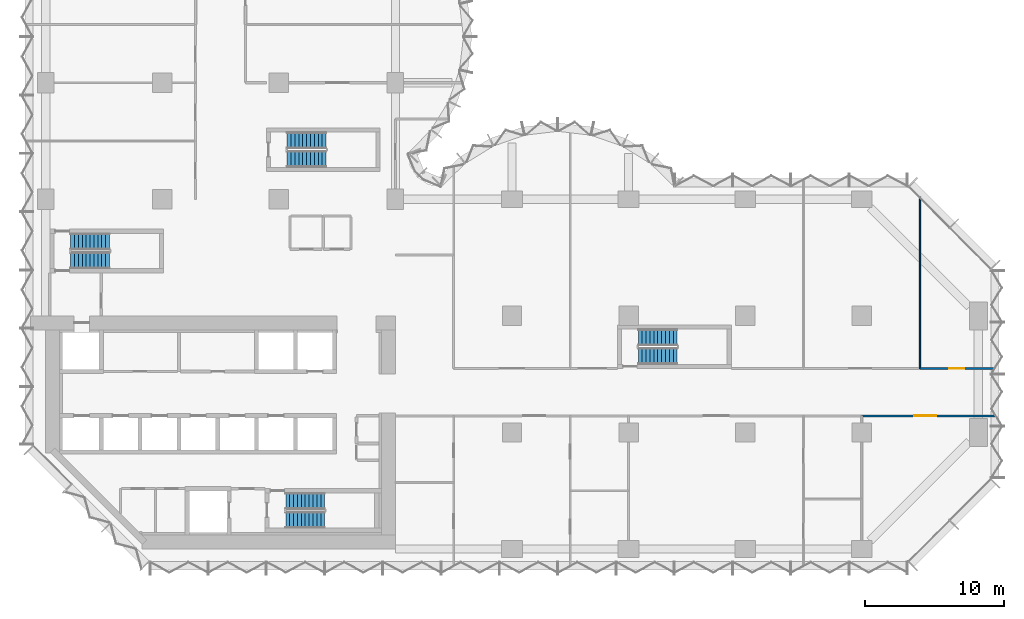
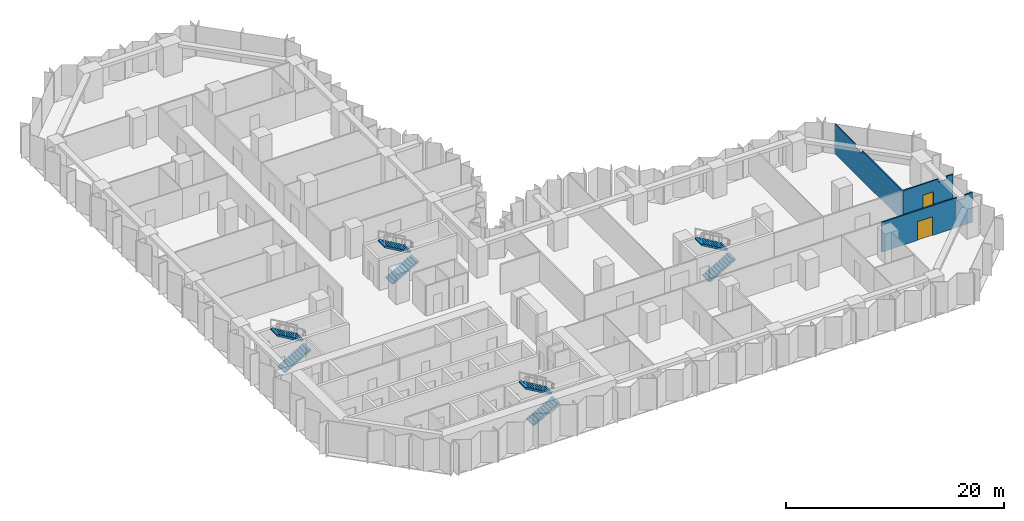
# One storey, part 12 of 15: 8 stair flights, 3 walls, 2 doors, 2 openings, 4 elements without a shape of their own.
"""IFC4 building model written with IfcOpenShell, lengths in metres."""

from ifc_helpers import new_model, si_unit, direction, frame, frame_2d, origin, place, context, subcontext, project, spatial, polyline, rectangle, outline, extrude, material, layer, layer_set, type_object, element, fill, aggregate, save


model = new_model("IFC4")

# Units and contexts
model_context = context("Model", 3, precision=1e-05, world=origin(), true_north=direction((0.0, 1.0)))
body_context = subcontext(model_context, "Body", "Model", "MODEL_VIEW")
ifc_project = project(units=[si_unit("LENGTHUNIT", "METRE"), si_unit("AREAUNIT", "SQUARE_METRE"), si_unit("VOLUMEUNIT", "CUBIC_METRE"), si_unit("PLANEANGLEUNIT", "RADIAN"), si_unit("MASSUNIT", "GRAM", prefix="KILO")], contexts=[model_context])

# Site, building, storey
site_placement = place(None, origin())
site = spatial("IfcSite", under=ifc_project, at=site_placement, CompositionType="ELEMENT")
building_placement = place(site_placement, origin())
building = spatial("IfcBuilding", under=site, at=building_placement, Name="Brevane Broadcast Tower", CompositionType="ELEMENT")
storey_placement = place(building_placement, frame((0.0, 0.0, 54.5)))
storey = spatial("IfcBuildingStorey", under=building, at=storey_placement, Name="L11", CompositionType="ELEMENT", Elevation=54.5)

# Wall
ifc_material_1 = material(Name="Gypsum board partition")
ifc_layer_1 = layer(ifc_material_1, 0.10009765625)
ifc_layer_set_1 = layer_set([ifc_layer_1], Name="PARTITION 100 STUD")
wall_type_1 = type_object("IfcWallType", Name="PARTITION 100 STUD", PredefinedType="PARTITIONING", material=ifc_layer_set_1)
wall_1_placement = place(storey_placement, frame((63.0, 25.39990234375, 0.0), z_axis=(0.0, 0.0, 1.0), x_axis=(0.0, -1.0, 0.0)))
element("IfcWall", 1, at=wall_1_placement, inside=storey, type_object=wall_type_1, Name="Partition G02-034", PredefinedType="PARTITIONING", context=body_context, shape_type="SweptSolid", body=[
    extrude(outline(polyline([(0.0, 0.0), (12.39990234375, 0.0), (12.39990234375, 3.330078125), (5.065673828125, 3.330078125), (5.063720703125, 2.97998046875), (3.736328125, 2.97998046875), (3.734375, 3.330078125), (0.0, 3.330078125), (0.0, 0.0)])), frame((0.0, 0.050048828125, 0.0), z_axis=(0.0, -1.0, 0.0), x_axis=(1.0, 0.0, 0.0)), (0.0, 0.0, 1.0), 0.10009765625),
])

# Wall, opening, door
ifc_layer_2 = layer(ifc_material_1, 0.14990234375)
ifc_layer_set_2 = layer_set([ifc_layer_2], Name="PARTITION 150 EI 60")
wall_type_2 = type_object("IfcWallType", Name="PARTITION 150 EI 60", PredefinedType="PARTITIONING", material=ifc_layer_set_2)
wall_2_placement = place(storey_placement, frame((68.406982421875, 9.60009765625, 0.0), z_axis=(0.0, 0.0, 1.0), x_axis=(-1.0, 0.0, 0.0)))
wall_2 = element("IfcWall", 2, at=wall_2_placement, inside=storey, type_object=wall_type_2, Name="Partition G02-011", PredefinedType="PARTITIONING", context=body_context, shape_type="SweptSolid", body=[
    extrude(outline(polyline([(0.0, 0.0), (9.60693359375, 0.0), (9.607177734375, 3.330078125), (1.656982421875, 3.330078125), (1.655029296875, 2.97998046875), (0.759033203125, 2.97998046875), (0.757080078125, 3.330078125), (0.127197265625, 3.330078125), (0.0, 3.330078125), (0.0, 0.0)])), frame((0.0, 0.074951171875, 0.0), z_axis=(0.0, -1.0, 0.0), x_axis=(1.0, 0.0, 0.0)), (0.0, 0.0, 1.0), 0.14990234375),
])
opening_1_placement = place(wall_2_placement, frame((4.22705078125, 0.0, 0.0)))
opening_1 = element("IfcOpeningElement", 3, at=opening_1_placement, cuts=wall_2, Name="Opening D08-010", PredefinedType="OPENING", context=body_context, shape_type="SweptSolid", body=[
    extrude(rectangle(XDim=1.60009765625, YDim=2.10009765625, at=frame_2d((0.800048828125, 1.050048828125))), frame((0.0, 0.0849609375, 0.0), z_axis=(0.0, -1.0, 0.0), x_axis=(1.0, 0.0, 0.0)), (0.0, 0.0, 1.0), 0.169921875),
])
ifc_material_2 = material(Name="Fire-rated timber door leaf", Category="wood")
door_type_1 = type_object("IfcDoorType", Name="DOOR DOUBLE 1600 FD30S", OperationType="DOUBLE_DOOR_SINGLE_SWING", PredefinedType="DOOR", material=ifc_material_2)
door_1_placement = place(opening_1_placement, origin())
door_1 = element("IfcDoor", 4, at=door_1_placement, inside=storey, type_object=door_type_1, Name="Door D08-010", OperationType="DOUBLE_DOOR_SINGLE_SWING", OverallHeight=2.10009765625, OverallWidth=1.60009765625, PredefinedType="DOOR", context=body_context, shape_type="SweptSolid", body=[
    extrude(rectangle(XDim=1.60009765625, YDim=2.10009765625, at=frame_2d((0.800048828125, 1.050048828125))), frame((0.0, 0.02490234375, 0.0), z_axis=(0.0, -1.0, 0.0), x_axis=(1.0, 0.0, 0.0)), (0.0, 0.0, 1.0), 0.050048828125),
])
fill(opening_1, door_1)

wall_3_placement = place(storey_placement, frame((63.0, 13.0, 0.0), z_axis=(0.0, 0.0, 1.0), x_axis=(1.0, 0.0, 0.0)))
wall_3 = element("IfcWall", 5, at=wall_3_placement, inside=storey, type_object=wall_type_2, Name="Partition G02-016", PredefinedType="PARTITIONING", context=body_context, shape_type="SweptSolid", body=[
    extrude(outline(polyline([(0.0, 0.0), (5.280029296875, 0.0), (5.280029296875, 3.330078125), (4.64990234375, 3.330078125), (4.64794921875, 2.97998046875), (3.751953125, 2.97998046875), (3.75, 3.330078125), (0.0, 3.330078125), (0.0, 0.0)])), frame((0.0, 0.074951171875, 0.0), z_axis=(0.0, -1.0, 0.0), x_axis=(1.0, 0.0, 0.0)), (0.0, 0.0, 1.0), 0.14990234375),
])
opening_2_placement = place(wall_3_placement, frame((2.10009765625, 0.0, 0.0)))
opening_2 = element("IfcOpeningElement", 6, at=opening_2_placement, cuts=wall_3, Name="Opening D08-014", PredefinedType="OPENING", context=body_context, shape_type="SweptSolid", body=[
    extrude(rectangle(XDim=1.10009765625, YDim=2.10009765625, at=frame_2d((0.550048828125, 1.050048828125))), frame((0.0, 0.0849609375, 0.0), z_axis=(0.0, -1.0, 0.0), x_axis=(1.0, 0.0, 0.0)), (0.0, 0.0, 1.0), 0.169921875),
])
door_type_2 = type_object("IfcDoorType", Name="DOOR SINGLE 1100 FD30S", OperationType="SINGLE_SWING_LEFT", PredefinedType="DOOR", material=ifc_material_2)
door_2_placement = place(opening_2_placement, origin())
door_2 = element("IfcDoor", 7, at=door_2_placement, inside=storey, type_object=door_type_2, Name="Door D08-014", OperationType="SINGLE_SWING_LEFT", OverallHeight=2.10009765625, OverallWidth=1.10009765625, PredefinedType="DOOR", context=body_context, shape_type="SweptSolid", body=[
    extrude(rectangle(XDim=1.10009765625, YDim=2.10009765625, at=frame_2d((0.550048828125, 1.050048828125))), frame((0.0, 0.02490234375, 0.0), z_axis=(0.0, -1.0, 0.0), x_axis=(1.0, 0.0, 0.0)), (0.0, 0.0, 1.0), 0.050048828125),
])
fill(opening_2, door_2)

# Stair, stair flights
ifc_material_3 = material(Name="Concrete C50/60", Category="concrete")
stair_type = type_object("IfcStairType", Name="Exit stair 22 risers", PredefinedType="HALF_TURN_STAIR", material=ifc_material_3)
stair_1_placement = place(storey_placement, origin())
stair_1 = element("IfcStair", 8, at=stair_1_placement, inside=storey, type_object=stair_type, Name="L11 Exit stair ST-1", PredefinedType="HALF_TURN_STAIR")
stair_flight_type = type_object("IfcStairFlightType", Name="Exit stair flight 22 risers", PredefinedType="STRAIGHT", material=ifc_material_3)
stair_flight_1_placement = place(storey_placement, frame((1.800048828125, 20.800048828125, 0.0), z_axis=(0.0, 0.0, 1.0), x_axis=(1.0, 0.0, 0.0)))
stair_flight_1 = element("IfcStairFlight", 9, at=stair_flight_1_placement, type_object=stair_flight_type, Name="ST-1 flight 1", NumberOfRisers=11, NumberOfTreads=10, PredefinedType="STRAIGHT", RiserHeight=0.163636364, TreadLength=0.28, context=body_context, shape_type="SweptSolid", body=[
    extrude(outline(polyline([(0.0, 0.0), (0.0, 0.16357421875), (0.280029296875, 0.16357421875), (0.280029296875, 0.327392578125), (0.56005859375, 0.327392578125), (0.56005859375, 0.490966796875), (0.840087890625, 0.490966796875), (0.840087890625, 0.654541015625), (1.1201171875, 0.654541015625), (1.1201171875, 0.818115234375), (1.39990234375, 0.818115234375), (1.39990234375, 0.98193359375), (1.679931640625, 0.98193359375), (1.679931640625, 1.1455078125), (1.9599609375, 1.1455078125), (1.9599609375, 1.30908203125), (2.239990234375, 1.30908203125), (2.239990234375, 1.47265625), (2.52001953125, 1.47265625), (2.52001953125, 1.636474609375), (2.800048828125, 1.636474609375), (2.800048828125, 1.800048828125), (2.800048828125, 1.462646484375), (0.297119140625, 0.0), (0.0, 0.0)])), frame((0.0, 0.60009765625, 0.0), z_axis=(0.0, -1.0, 0.0), x_axis=(1.0, 0.0, 0.0)), (0.0, 0.0, 1.0), 1.199951171875),
])
stair_flight_2_placement = place(storey_placement, frame((4.60009765625, 22.14990234375, 1.800048828125), z_axis=(0.0, 0.0, 1.0), x_axis=(-1.0, 0.0, 0.0)))
stair_flight_2 = element("IfcStairFlight", 10, at=stair_flight_2_placement, type_object=stair_flight_type, Name="ST-1 flight 2", NumberOfRisers=11, NumberOfTreads=10, PredefinedType="STRAIGHT", RiserHeight=0.163636364, TreadLength=0.28, context=body_context, shape_type="SweptSolid", body=[
    extrude(outline(polyline([(0.0, 0.0), (0.0, 0.16357421875), (0.280029296875, 0.16357421875), (0.280029296875, 0.327392578125), (0.56005859375, 0.327392578125), (0.56005859375, 0.490966796875), (0.840087890625, 0.490966796875), (0.840087890625, 0.654541015625), (1.1201171875, 0.654541015625), (1.1201171875, 0.818115234375), (1.39990234375, 0.818115234375), (1.39990234375, 0.98193359375), (1.679931640625, 0.98193359375), (1.679931640625, 1.1455078125), (1.9599609375, 1.1455078125), (1.9599609375, 1.30908203125), (2.239990234375, 1.30908203125), (2.239990234375, 1.47265625), (2.52001953125, 1.47265625), (2.52001953125, 1.636474609375), (2.800048828125, 1.636474609375), (2.800048828125, 1.800048828125), (2.800048828125, 1.462646484375), (0.297119140625, 0.0), (0.0, 0.0)])), frame((0.0, 0.60009765625, 0.0), z_axis=(0.0, -1.0, 0.0), x_axis=(1.0, 0.0, 0.0)), (0.0, 0.0, 1.0), 1.199951171875),
])
aggregate(stair_1, [stair_flight_1, stair_flight_2])

stair_2_placement = place(storey_placement, origin())
stair_2 = element("IfcStair", 11, at=stair_2_placement, inside=storey, type_object=stair_type, Name="L11 Exit stair ST-2", PredefinedType="HALF_TURN_STAIR")
stair_flight_3_placement = place(storey_placement, frame((17.300048828125, 2.10009765625, 0.0), z_axis=(0.0, 0.0, 1.0), x_axis=(1.0, 0.0, 0.0)))
stair_flight_3 = element("IfcStairFlight", 12, at=stair_flight_3_placement, type_object=stair_flight_type, Name="ST-2 flight 1", NumberOfRisers=11, NumberOfTreads=10, PredefinedType="STRAIGHT", RiserHeight=0.163636364, TreadLength=0.28, context=body_context, shape_type="SweptSolid", body=[
    extrude(outline(polyline([(0.0, 0.0), (0.0, 0.16357421875), (0.280029296875, 0.16357421875), (0.280029296875, 0.327392578125), (0.56005859375, 0.327392578125), (0.56005859375, 0.490966796875), (0.840087890625, 0.490966796875), (0.840087890625, 0.654541015625), (1.1201171875, 0.654541015625), (1.1201171875, 0.818115234375), (1.39990234375, 0.818115234375), (1.39990234375, 0.98193359375), (1.679931640625, 0.98193359375), (1.679931640625, 1.1455078125), (1.9599609375, 1.1455078125), (1.9599609375, 1.30908203125), (2.239990234375, 1.30908203125), (2.239990234375, 1.47265625), (2.52001953125, 1.47265625), (2.52001953125, 1.636474609375), (2.800048828125, 1.636474609375), (2.800048828125, 1.800048828125), (2.800048828125, 1.462646484375), (0.297119140625, 0.0), (0.0, 0.0)])), frame((0.0, 0.60009765625, 0.0), z_axis=(0.0, -1.0, 0.0), x_axis=(1.0, 0.0, 0.0)), (0.0, 0.0, 1.0), 1.199951171875),
])
stair_flight_4_placement = place(storey_placement, frame((20.10009765625, 3.449951171875, 1.800048828125), z_axis=(0.0, 0.0, 1.0), x_axis=(-1.0, 0.0, 0.0)))
stair_flight_4 = element("IfcStairFlight", 13, at=stair_flight_4_placement, type_object=stair_flight_type, Name="ST-2 flight 2", NumberOfRisers=11, NumberOfTreads=10, PredefinedType="STRAIGHT", RiserHeight=0.163636364, TreadLength=0.28, context=body_context, shape_type="SweptSolid", body=[
    extrude(outline(polyline([(0.0, 0.0), (0.0, 0.16357421875), (0.280029296875, 0.16357421875), (0.280029296875, 0.327392578125), (0.56005859375, 0.327392578125), (0.56005859375, 0.490966796875), (0.840087890625, 0.490966796875), (0.840087890625, 0.654541015625), (1.1201171875, 0.654541015625), (1.1201171875, 0.818115234375), (1.39990234375, 0.818115234375), (1.39990234375, 0.98193359375), (1.679931640625, 0.98193359375), (1.679931640625, 1.1455078125), (1.9599609375, 1.1455078125), (1.9599609375, 1.30908203125), (2.239990234375, 1.30908203125), (2.239990234375, 1.47265625), (2.52001953125, 1.47265625), (2.52001953125, 1.636474609375), (2.800048828125, 1.636474609375), (2.800048828125, 1.800048828125), (2.800048828125, 1.462646484375), (0.297119140625, 0.0), (0.0, 0.0)])), frame((0.0, 0.60009765625, 0.0), z_axis=(0.0, -1.0, 0.0), x_axis=(1.0, 0.0, 0.0)), (0.0, 0.0, 1.0), 1.199951171875),
])
aggregate(stair_2, [stair_flight_3, stair_flight_4])

stair_3_placement = place(storey_placement, origin())
stair_3 = element("IfcStair", 14, at=stair_3_placement, inside=storey, type_object=stair_type, Name="L11 Exit stair ST-3", PredefinedType="HALF_TURN_STAIR")
stair_flight_5_placement = place(storey_placement, frame((17.39990234375, 28.10009765625, 0.0), z_axis=(0.0, 0.0, 1.0), x_axis=(1.0, 0.0, 0.0)))
stair_flight_5 = element("IfcStairFlight", 15, at=stair_flight_5_placement, type_object=stair_flight_type, Name="ST-3 flight 1", NumberOfRisers=11, NumberOfTreads=10, PredefinedType="STRAIGHT", RiserHeight=0.163636364, TreadLength=0.28, context=body_context, shape_type="SweptSolid", body=[
    extrude(outline(polyline([(0.0, 0.0), (0.0, 0.16357421875), (0.280029296875, 0.16357421875), (0.280029296875, 0.327392578125), (0.56005859375, 0.327392578125), (0.56005859375, 0.490966796875), (0.840087890625, 0.490966796875), (0.840087890625, 0.654541015625), (1.1201171875, 0.654541015625), (1.1201171875, 0.818115234375), (1.39990234375, 0.818115234375), (1.39990234375, 0.98193359375), (1.679931640625, 0.98193359375), (1.679931640625, 1.1455078125), (1.9599609375, 1.1455078125), (1.9599609375, 1.30908203125), (2.239990234375, 1.30908203125), (2.239990234375, 1.47265625), (2.52001953125, 1.47265625), (2.52001953125, 1.636474609375), (2.800048828125, 1.636474609375), (2.800048828125, 1.800048828125), (2.800048828125, 1.462646484375), (0.297119140625, 0.0), (0.0, 0.0)])), frame((0.0, 0.60009765625, 0.0), z_axis=(0.0, -1.0, 0.0), x_axis=(1.0, 0.0, 0.0)), (0.0, 0.0, 1.0), 1.199951171875),
])
stair_flight_6_placement = place(storey_placement, frame((20.199951171875, 29.449951171875, 1.800048828125), z_axis=(0.0, 0.0, 1.0), x_axis=(-1.0, 0.0, 0.0)))
stair_flight_6 = element("IfcStairFlight", 16, at=stair_flight_6_placement, type_object=stair_flight_type, Name="ST-3 flight 2", NumberOfRisers=11, NumberOfTreads=10, PredefinedType="STRAIGHT", RiserHeight=0.163636364, TreadLength=0.28, context=body_context, shape_type="SweptSolid", body=[
    extrude(outline(polyline([(0.0, 0.0), (0.0, 0.16357421875), (0.280029296875, 0.16357421875), (0.280029296875, 0.327392578125), (0.56005859375, 0.327392578125), (0.56005859375, 0.490966796875), (0.840087890625, 0.490966796875), (0.840087890625, 0.654541015625), (1.1201171875, 0.654541015625), (1.1201171875, 0.818115234375), (1.39990234375, 0.818115234375), (1.39990234375, 0.98193359375), (1.679931640625, 0.98193359375), (1.679931640625, 1.1455078125), (1.9599609375, 1.1455078125), (1.9599609375, 1.30908203125), (2.239990234375, 1.30908203125), (2.239990234375, 1.47265625), (2.52001953125, 1.47265625), (2.52001953125, 1.636474609375), (2.800048828125, 1.636474609375), (2.800048828125, 1.800048828125), (2.800048828125, 1.462646484375), (0.297119140625, 0.0), (0.0, 0.0)])), frame((0.0, 0.60009765625, 0.0), z_axis=(0.0, -1.0, 0.0), x_axis=(1.0, 0.0, 0.0)), (0.0, 0.0, 1.0), 1.199951171875),
])
aggregate(stair_3, [stair_flight_5, stair_flight_6])

stair_4_placement = place(storey_placement, origin())
stair_4 = element("IfcStair", 17, at=stair_4_placement, inside=storey, type_object=stair_type, Name="L11 Exit stair ST-4", PredefinedType="HALF_TURN_STAIR")
stair_flight_7_placement = place(storey_placement, frame((42.699951171875, 13.89990234375, 0.0), z_axis=(0.0, 0.0, 1.0), x_axis=(1.0, 0.0, 0.0)))
stair_flight_7 = element("IfcStairFlight", 18, at=stair_flight_7_placement, type_object=stair_flight_type, Name="ST-4 flight 1", NumberOfRisers=11, NumberOfTreads=10, PredefinedType="STRAIGHT", RiserHeight=0.163636364, TreadLength=0.28, context=body_context, shape_type="SweptSolid", body=[
    extrude(outline(polyline([(0.0, 0.0), (0.0, 0.16357421875), (0.280029296875, 0.16357421875), (0.280029296875, 0.327392578125), (0.56005859375, 0.327392578125), (0.56005859375, 0.490966796875), (0.840087890625, 0.490966796875), (0.840087890625, 0.654541015625), (1.1201171875, 0.654541015625), (1.1201171875, 0.818115234375), (1.39990234375, 0.818115234375), (1.39990234375, 0.98193359375), (1.679931640625, 0.98193359375), (1.679931640625, 1.1455078125), (1.9599609375, 1.1455078125), (1.9599609375, 1.30908203125), (2.239990234375, 1.30908203125), (2.239990234375, 1.47265625), (2.52001953125, 1.47265625), (2.52001953125, 1.636474609375), (2.800048828125, 1.636474609375), (2.800048828125, 1.800048828125), (2.800048828125, 1.462646484375), (0.297119140625, 0.0), (0.0, 0.0)])), frame((0.0, 0.60009765625, 0.0), z_axis=(0.0, -1.0, 0.0), x_axis=(1.0, 0.0, 0.0)), (0.0, 0.0, 1.0), 1.199951171875),
])
stair_flight_8_placement = place(storey_placement, frame((45.5, 15.25, 1.800048828125), z_axis=(0.0, 0.0, 1.0), x_axis=(-1.0, 0.0, 0.0)))
stair_flight_8 = element("IfcStairFlight", 19, at=stair_flight_8_placement, type_object=stair_flight_type, Name="ST-4 flight 2", NumberOfRisers=11, NumberOfTreads=10, PredefinedType="STRAIGHT", RiserHeight=0.163636364, TreadLength=0.28, context=body_context, shape_type="SweptSolid", body=[
    extrude(outline(polyline([(0.0, 0.0), (0.0, 0.16357421875), (0.280029296875, 0.16357421875), (0.280029296875, 0.327392578125), (0.56005859375, 0.327392578125), (0.56005859375, 0.490966796875), (0.840087890625, 0.490966796875), (0.840087890625, 0.654541015625), (1.1201171875, 0.654541015625), (1.1201171875, 0.818115234375), (1.39990234375, 0.818115234375), (1.39990234375, 0.98193359375), (1.679931640625, 0.98193359375), (1.679931640625, 1.1455078125), (1.9599609375, 1.1455078125), (1.9599609375, 1.30908203125), (2.239990234375, 1.30908203125), (2.239990234375, 1.47265625), (2.52001953125, 1.47265625), (2.52001953125, 1.636474609375), (2.800048828125, 1.636474609375), (2.800048828125, 1.800048828125), (2.800048828125, 1.462646484375), (0.297119140625, 0.0), (0.0, 0.0)])), frame((0.0, 0.60009765625, 0.0), z_axis=(0.0, -1.0, 0.0), x_axis=(1.0, 0.0, 0.0)), (0.0, 0.0, 1.0), 1.199951171875),
])
aggregate(stair_4, [stair_flight_7, stair_flight_8])

save(model, "model.ifc")
